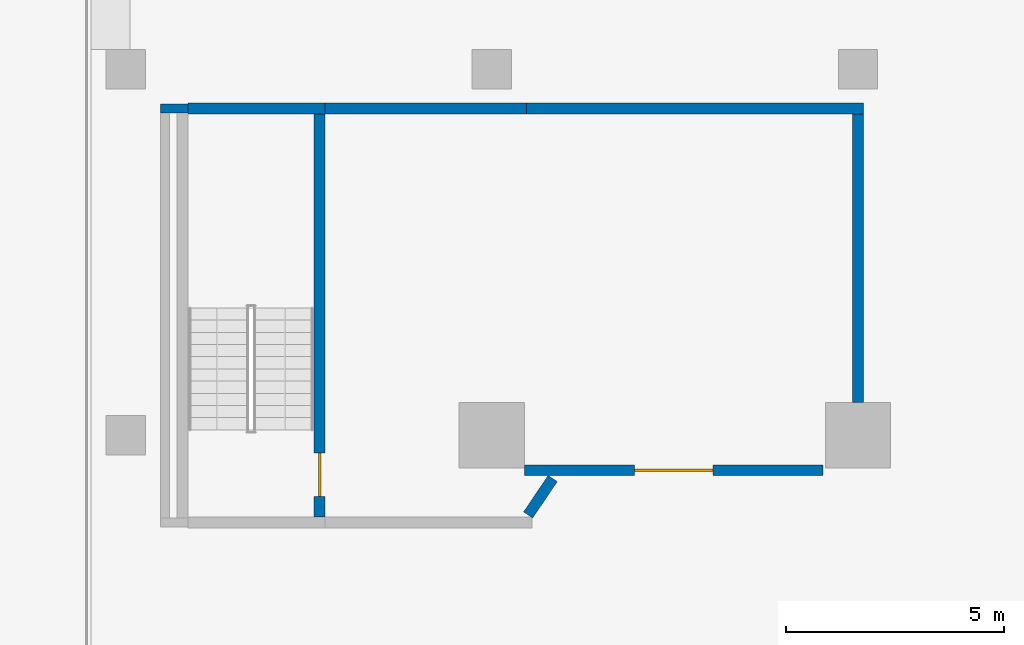
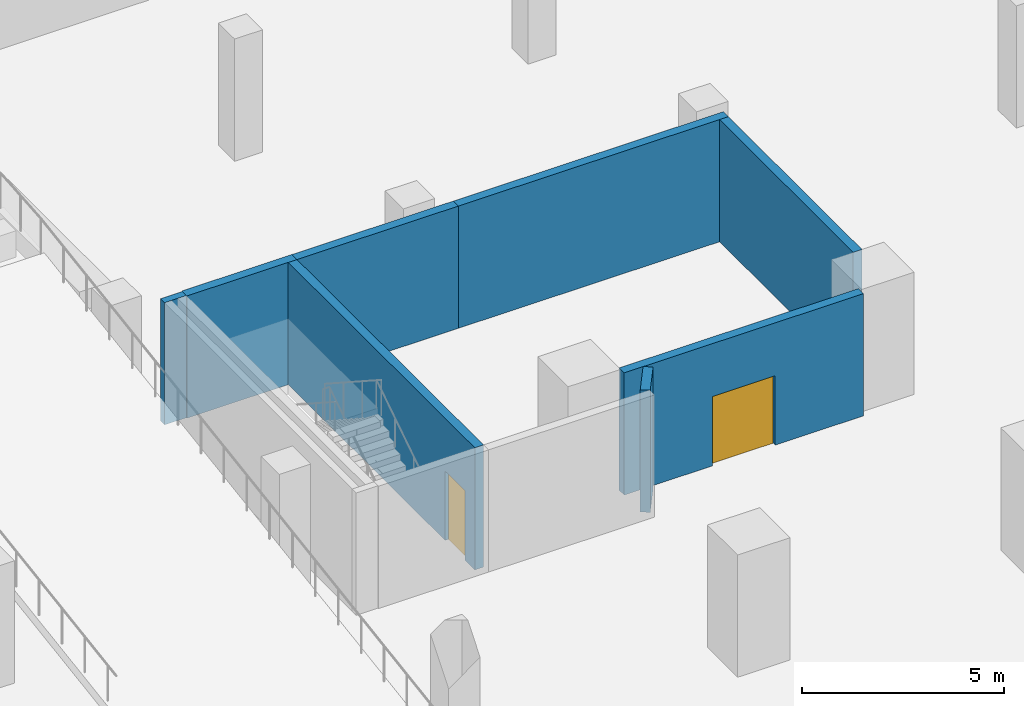
# One storey, part 8 of 18: 8 walls, 2 doors, 2 openings.
"""IFC4 building model written with IfcOpenShell, lengths in metres."""

from ifc_helpers import new_model, si_unit, direction, frame, frame_2d, origin, place, context, subcontext, project, spatial, rectangle, extrude, material, layer, layer_set, type_object, element, fill, save


model = new_model("IFC4")

# Units and contexts
model_context = context("Model", 3, precision=1e-05, world=origin(), true_north=direction((0.0, 1.0)))
body_context = subcontext(model_context, "Body", "Model", "MODEL_VIEW")
ifc_project = project(units=[si_unit("LENGTHUNIT", "METRE"), si_unit("AREAUNIT", "SQUARE_METRE"), si_unit("VOLUMEUNIT", "CUBIC_METRE"), si_unit("PLANEANGLEUNIT", "RADIAN"), si_unit("MASSUNIT", "GRAM", prefix="KILO")], contexts=[model_context])

# Site, building, storey
site_placement = place(None, origin())
site = spatial("IfcSite", under=ifc_project, at=site_placement, CompositionType="ELEMENT")
building_placement = place(site_placement, origin())
building = spatial("IfcBuilding", under=site, at=building_placement, Name="Cantera Rosa Tower", CompositionType="ELEMENT")
storey_placement = place(building_placement, frame((0.0, 0.0, -13.0)))
storey = spatial("IfcBuildingStorey", under=building, at=storey_placement, Name="B3", CompositionType="ELEMENT", Elevation=-13.0)

# Walls
ifc_material_1 = material(Name="Masonry blockwork", Category="masonry")
ifc_layer_1 = layer(ifc_material_1, 0.199951171875)
ifc_layer_set_1 = layer_set([ifc_layer_1], Name="Blockwork partition 200")
wall_type_1 = type_object("IfcWallType", Name="Blockwork partition 200", PredefinedType="PARTITIONING", material=ifc_layer_set_1)
wall_1_placement = place(storey_placement, frame((-32.800048828125, 28.5, 0.0), z_axis=(0.0, 0.0, 1.0), x_axis=(1.0, 0.0, 0.0)))
element("IfcWall", 1, at=wall_1_placement, inside=storey, type_object=wall_type_1, Name="Partition B3-18", PredefinedType="PARTITIONING", context=body_context, shape_type="SweptSolid", body=[
    extrude(rectangle(XDim=0.625, YDim=0.199951171875, at=frame_2d((0.3125, 0.0))), origin(), (0.0, 0.0, 1.0), 3.699951171875),
])
ifc_material_2 = material(Name="Concrete C50/60", Category="concrete")
ifc_layer_2 = layer(ifc_material_2, 0.25)
ifc_layer_set_2 = layer_set([ifc_layer_2], Name="External stair wall 250")
wall_type_2 = type_object("IfcWallType", Name="External stair wall 250", PredefinedType="SOLIDWALL", material=ifc_layer_set_2)
wall_2_placement = place(storey_placement, frame((-32.175048828125, 28.5, 0.0), z_axis=(0.0, 0.0, 1.0), x_axis=(1.0, 0.0, 0.0)))
element("IfcWall", 2, at=wall_2_placement, inside=storey, type_object=wall_type_2, Name="Stair wall B3-19", PredefinedType="SOLIDWALL", context=body_context, shape_type="SweptSolid", body=[
    extrude(rectangle(XDim=3.150146484375, YDim=0.25, at=frame_2d((1.5751953125, 0.0))), origin(), (0.0, 0.0, 1.0), 3.699951171875),
])
ifc_material_3 = material(Name="Masonry blockwork", Category="masonry")
ifc_layer_3 = layer(ifc_material_3, 0.25)
ifc_layer_set_3 = layer_set([ifc_layer_3], Name="Fire-rated external wall 250")
wall_type_3 = type_object("IfcWallType", Name="Fire-rated external wall 250", PredefinedType="PARTITIONING", material=ifc_layer_set_3)
wall_3_placement = place(storey_placement, frame((-29.02490234375, 28.5, 0.0), z_axis=(0.0, 0.0, 1.0), x_axis=(1.0, 0.0, 0.0)))
element("IfcWall", 3, at=wall_3_placement, inside=storey, type_object=wall_type_3, Name="Fire wall B3-20", PredefinedType="PARTITIONING", context=body_context, shape_type="SweptSolid", body=[
    extrude(rectangle(XDim=4.625, YDim=0.25, at=frame_2d((2.3125, 0.0))), origin(), (0.0, 0.0, 1.0), 3.699951171875),
])
wall_4_placement = place(storey_placement, frame((-24.39990234375, 28.5, 0.0), z_axis=(0.0, 0.0, 1.0), x_axis=(1.0, 0.0, 0.0)))
element("IfcWall", 4, at=wall_4_placement, inside=storey, type_object=wall_type_3, Name="Fire wall B3-21", PredefinedType="PARTITIONING", context=body_context, shape_type="SweptSolid", body=[
    extrude(rectangle(XDim=7.724853515625, YDim=0.25, at=frame_2d((3.8623046875, 0.0))), origin(), (0.0, 0.0, 1.0), 3.699951171875),
])
wall_5_placement = place(storey_placement, frame((-16.800048828125, 21.75, 0.0), z_axis=(0.0, 0.0, 1.0), x_axis=(0.0, 1.0, 0.0)))
element("IfcWall", 5, at=wall_5_placement, inside=storey, type_object=wall_type_3, Name="Fire wall B3-47", PredefinedType="PARTITIONING", context=body_context, shape_type="SweptSolid", body=[
    extrude(rectangle(XDim=6.625, YDim=0.25, at=frame_2d((3.3125, 0.0))), origin(), (0.0, 0.0, 1.0), 3.699951171875),
])

# Wall, opening, door
ifc_material_4 = material(Name="Masonry blockwork", Category="masonry")
ifc_layer_4 = layer(ifc_material_4, 0.25)
ifc_layer_set_4 = layer_set([ifc_layer_4], Name="Fire-rated wall 250")
wall_type_4 = type_object("IfcWallType", Name="Fire-rated wall 250", PredefinedType="PARTITIONING", material=ifc_layer_set_4)
wall_6_placement = place(storey_placement, frame((-24.449951171875, 20.199951171875, 0.0), z_axis=(0.0, 0.0, 1.0), x_axis=(1.0, 0.0, 0.0)))
wall_6 = element("IfcWall", 6, at=wall_6_placement, inside=storey, type_object=wall_type_4, Name="Fire wall B3-38", PredefinedType="PARTITIONING", context=body_context, shape_type="SweptSolid", body=[
    extrude(rectangle(XDim=6.849853515625, YDim=0.25, at=frame_2d((3.4248046875, 0.0))), origin(), (0.0, 0.0, 1.0), 3.699951171875),
])
opening_1_placement = place(wall_6_placement, frame((2.52490234375, 0.0, 0.0)))
opening_1 = element("IfcOpeningElement", 7, at=opening_1_placement, cuts=wall_6, Name="Opening B3-003", PredefinedType="OPENING", context=body_context, shape_type="SweptSolid", body=[
    extrude(rectangle(XDim=1.800048828125, YDim=2.10009765625, at=frame_2d((0.89990234375, 1.050048828125))), frame((0.0, 0.135009765625, 0.0), z_axis=(0.0, -1.0, 0.0), x_axis=(1.0, 0.0, 0.0)), (0.0, 0.0, 1.0), 0.27001953125),
])
ifc_material_5 = material(Name="Steel S355J2 (EN 10025-2)", Category="steel")
door_type_1 = type_object("IfcDoorType", Name="Fire double door 1800x2100", OperationType="NOTDEFINED", PredefinedType="DOOR", material=ifc_material_5)
door_1_placement = place(opening_1_placement, origin())
door_1 = element("IfcDoor", 8, at=door_1_placement, inside=storey, type_object=door_type_1, Name="Door B3-003", OperationType="DOUBLE_DOOR_SINGLE_SWING", OverallHeight=2.10009765625, OverallWidth=1.800048828125, PredefinedType="DOOR", context=body_context, shape_type="SweptSolid", body=[
    extrude(rectangle(XDim=1.800048828125, YDim=2.10009765625, at=frame_2d((0.89990234375, 1.050048828125))), frame((0.0, 0.02490234375, 0.0), z_axis=(0.0, -1.0, 0.0), x_axis=(1.0, 0.0, 0.0)), (0.0, 0.0, 1.0), 0.050048828125),
])
fill(opening_1, door_1)

# Wall
wall_7_placement = place(storey_placement, frame((-24.366455078125, 19.1748046875, 0.0), z_axis=(0.0, 0.0, 1.0), x_axis=(0.559172704165, 0.829051196801, 0.0)))
element("IfcWall", 9, at=wall_7_placement, inside=storey, type_object=wall_type_4, Name="Fire wall B3-49", PredefinedType="PARTITIONING", context=body_context, shape_type="SweptSolid", body=[
    extrude(rectangle(XDim=1.005859375, YDim=0.25, at=frame_2d((0.5029296875, 0.0))), origin(), (0.0, 0.0, 1.0), 3.699951171875),
])

# Wall, opening, door
ifc_material_6 = material(Name="Concrete C50/60", Category="concrete")
ifc_layer_5 = layer(ifc_material_6, 0.25)
ifc_layer_set_5 = layer_set([ifc_layer_5], Name="RC stair wall 250 C50/60")
wall_type_5 = type_object("IfcWallType", Name="RC stair wall 250", PredefinedType="SOLIDWALL", material=ifc_layer_set_5)
wall_8_placement = place(storey_placement, frame((-29.14990234375, 19.125, 0.0), z_axis=(0.0, 0.0, 1.0), x_axis=(0.0, 1.0, 0.0)))
wall_8 = element("IfcWall", 10, at=wall_8_placement, inside=storey, type_object=wall_type_5, Name="Stair wall B3-41", PredefinedType="SOLIDWALL", context=body_context, shape_type="SweptSolid", body=[
    extrude(rectangle(XDim=9.25, YDim=0.25, at=frame_2d((4.625, 0.0))), origin(), (0.0, 0.0, 1.0), 3.699951171875),
])
opening_2_placement = place(wall_8_placement, frame((0.47509765625, 0.0, 0.0)))
opening_2 = element("IfcOpeningElement", 11, at=opening_2_placement, cuts=wall_8, Name="Opening B3-004", PredefinedType="OPENING", context=body_context, shape_type="SweptSolid", body=[
    extrude(rectangle(XDim=1.0, YDim=2.10009765625, at=frame_2d((0.5, 1.050048828125))), frame((0.0, 0.135009765625, 0.0), z_axis=(0.0, -1.0, 0.0), x_axis=(1.0, 0.0, 0.0)), (0.0, 0.0, 1.0), 0.27001953125),
])
ifc_material_7 = material(Name="Steel S355J2 (EN 10025-2)", Category="steel")
door_type_2 = type_object("IfcDoorType", Name="Fire door 1000x2100 EI 120", OperationType="NOTDEFINED", PredefinedType="DOOR", material=ifc_material_7)
door_2_placement = place(opening_2_placement, origin())
door_2 = element("IfcDoor", 12, at=door_2_placement, inside=storey, type_object=door_type_2, Name="Door B3-004", OverallHeight=2.10009765625, OverallWidth=1.0, PredefinedType="DOOR", context=body_context, shape_type="SweptSolid", body=[
    extrude(rectangle(XDim=1.0, YDim=2.10009765625, at=frame_2d((0.5, 1.050048828125))), frame((0.0, 0.02490234375, 0.0), z_axis=(0.0, -1.0, 0.0), x_axis=(1.0, 0.0, 0.0)), (0.0, 0.0, 1.0), 0.050048828125),
])
fill(opening_2, door_2)

save(model, "model.ifc")
